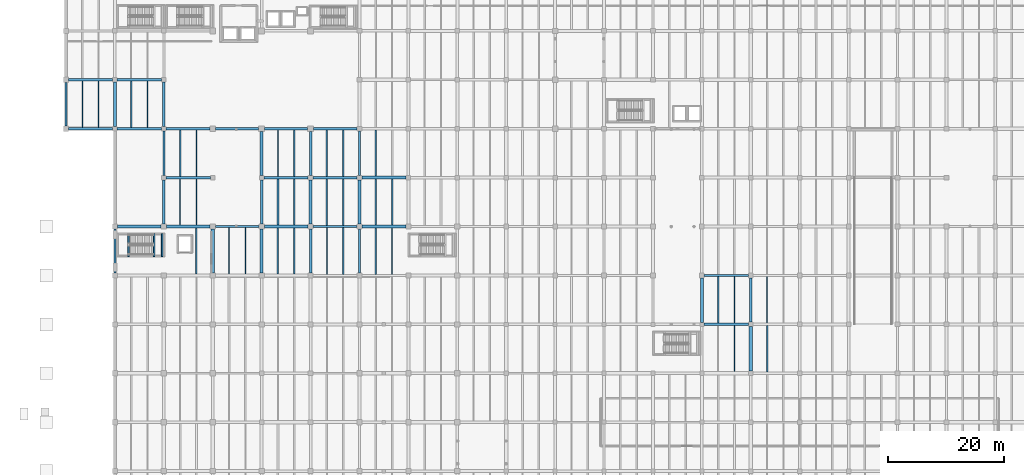
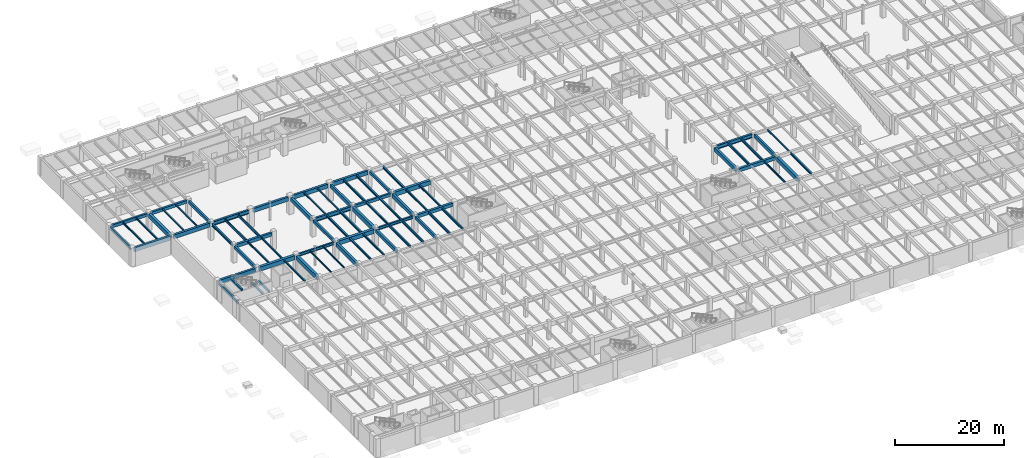
# One storey, part 18 of 63: 75 beams.
"""IFC4 building model written with IfcOpenShell, lengths in metres."""

import ifcopenshell
import ifcopenshell.guid

model = None  # the IFC model being written
_history = None  # IfcOwnerHistory: only IFC2X3 demands one
_inside = {}  # id of a spatial element -> (the spatial element, [elements in it])
_under = {}  # id of a project, library or spatial element -> (it, [spatial elements below it])
_declared = {}  # id of a project -> (the project, [libraries it declares])
_typed = {}  # id of a type object -> (the type object, [elements of that type])
_made_of = {}  # id of a material, layer set ... -> (it, [elements and type objects made of it])


def new_model(schema):
    """Start an empty IFC model of exactly this schema.

    Asked for "IFC4X3", IfcOpenShell would pick the latest addendum, in which some entities
    have other attributes; the version numbers below select the first issue.
    IFC2X3 requires an IfcOwnerHistory on every rooted entity: one is made here for all.
    """
    global model, _history
    if schema == "IFC4X3":
        model = ifcopenshell.file(schema_version=(4, 3, 0, 0))
    else:
        model = ifcopenshell.file(schema=schema)
    _inside.clear()
    _under.clear()
    _declared.clear()
    _typed.clear()
    _made_of.clear()
    _history = None
    if model.schema == "IFC2X3":
        org = make("IfcOrganization", Name="unknown")
        user = make(
            "IfcPersonAndOrganization",
            ThePerson=make("IfcPerson", FamilyName="unknown"),
            TheOrganization=org,
        )
        app = make(
            "IfcApplication",
            ApplicationDeveloper=org,
            Version="unknown",
            ApplicationFullName="unknown",
            ApplicationIdentifier="unknown",
        )
        _history = make(
            "IfcOwnerHistory",
            OwningUser=user,
            OwningApplication=app,
            ChangeAction="ADDED",
            CreationDate=0,
        )
    return model


def make(cls, **values):
    """One entity of the class cls with the attributes given. An attribute that is None is left unset."""
    return model.create_entity(
        cls, **{name: value for name, value in values.items() if value is not None}
    )


def rooted(cls, **values):
    """An entity with a GlobalId (a new one), such as an element, a storey or a relation."""
    return make(cls, GlobalId=ifcopenshell.guid.new(), OwnerHistory=_history, **values)


def si_unit(unit_type, name, prefix=None):
    """IfcSIUnit, for example si_unit("LENGTHUNIT", "METRE", prefix="MILLI")."""
    return make("IfcSIUnit", UnitType=unit_type, Prefix=prefix, Name=name)


def assignment(units):
    """IfcUnitAssignment: the units of a project."""
    return None if units is None else make("IfcUnitAssignment", Units=units)


def point(xyz):
    """IfcCartesianPoint."""
    return None if xyz is None else make("IfcCartesianPoint", Coordinates=xyz)


def direction(xyz):
    """IfcDirection."""
    return None if xyz is None else make("IfcDirection", DirectionRatios=xyz)


def frame(location, z_axis=None, x_axis=None):
    """IfcAxis2Placement3D, a coordinate frame: its origin and axes. An axis left out is left unset."""
    return make(
        "IfcAxis2Placement3D",
        Location=point(location),
        Axis=direction(z_axis),
        RefDirection=direction(x_axis),
    )


def frame_2d(location, x_axis=None):
    """IfcAxis2Placement2D, a coordinate frame in the plane: its origin and x axis."""
    return make(
        "IfcAxis2Placement2D", Location=point(location), RefDirection=direction(x_axis)
    )


def origin():
    """The frame at (0, 0, 0) with its axes left unset."""
    return frame((0.0, 0.0, 0.0))


def origin_2d():
    """The frame at (0, 0) in the plane with its x axis left unset."""
    return frame_2d((0.0, 0.0))


def place(relative_to, where):
    """IfcLocalPlacement: puts the frame where relative to a parent placement (None: the world)."""
    return make(
        "IfcLocalPlacement", PlacementRelTo=relative_to, RelativePlacement=where
    )


def context(
    kind, dimensions, precision=None, world=None, true_north=None, identifier=None
):
    """IfcGeometricRepresentationContext, for example the 3D "Model" context."""
    return make(
        "IfcGeometricRepresentationContext",
        ContextIdentifier=identifier,
        ContextType=kind,
        CoordinateSpaceDimension=dimensions,
        Precision=precision,
        WorldCoordinateSystem=world,
        TrueNorth=true_north,
    )


def subcontext(parent, identifier, kind, view, scale=None):
    """IfcGeometricRepresentationSubContext, for example "Body" below "Model"."""
    return make(
        "IfcGeometricRepresentationSubContext",
        ContextIdentifier=identifier,
        ContextType=kind,
        ParentContext=parent,
        TargetScale=scale,
        TargetView=view,
    )


def project(units=None, contexts=None):
    """IfcProject with its units and contexts."""
    return rooted(
        "IfcProject",
        Name="project",
        RepresentationContexts=contexts,
        UnitsInContext=assignment(units),
    )


def spatial(cls, under=None, at=None, **own):
    """A site, building, storey or space (cls), placed at a placement, below another one or the project."""
    s = rooted(cls, ObjectPlacement=at, **own)
    if under is not None:
        _under.setdefault(under.id(), (under, []))[1].append(s)
    return s


def profile(cls, at=None, kind="AREA", **sizes):
    """A parametric profile (cls). Its sizes go by their IFC names, for example OverallWidth=200.0."""
    return make(cls, ProfileType=kind, Position=at, **sizes)


def rectangle(**sizes):
    """IfcRectangleProfileDef."""
    return profile("IfcRectangleProfileDef", **sizes)


def i_section(**sizes):
    """IfcIShapeProfileDef."""
    return profile("IfcIShapeProfileDef", **sizes)


def extrude(swept, where, along, depth):
    """IfcExtrudedAreaSolid: the profile swept, set in the frame where, extruded along a direction by depth."""
    return make(
        "IfcExtrudedAreaSolid",
        SweptArea=swept,
        Position=where,
        ExtrudedDirection=direction(along),
        Depth=depth,
    )


def shape(context_of_items, identifier, shape_type, items):
    """IfcShapeRepresentation: the items that make up one representation, for example the "Body"."""
    return make(
        "IfcShapeRepresentation",
        ContextOfItems=context_of_items,
        RepresentationIdentifier=identifier,
        RepresentationType=shape_type,
        Items=items,
    )


def material(Name=None, Category=None):
    """IfcMaterial."""
    return make("IfcMaterial", Name=Name, Category=Category)


def material_profile(
    of_material, cross_section, Name=None, Category=None, Priority=None
):
    """IfcMaterialProfile: a cross section and its material."""
    return make(
        "IfcMaterialProfile",
        Name=Name,
        Material=of_material,
        Profile=cross_section,
        Priority=Priority,
        Category=Category,
    )


def profile_set(profiles, Name=None, composite=None):
    """IfcMaterialProfileSet."""
    return make(
        "IfcMaterialProfileSet",
        Name=Name,
        MaterialProfiles=profiles,
        CompositeProfile=composite,
    )


def made_of(thing, what):
    """Note that an element or type object is made of a material, layer set ...; save() writes the relation."""
    if what is not None:
        _made_of.setdefault(what.id(), (what, []))[1].append(thing)
    return thing


def type_object(cls, material=None, **own):
    """A type object (cls), such as IfcWallType, which elements share."""
    return made_of(rooted(cls, **own), material)


def element(
    cls,
    number,
    at=None,
    inside=None,
    cuts=None,
    type_object=None,
    material=None,
    context=None,
    identifier="Body",
    shape_type=None,
    held_by="IfcProductDefinitionShape",
    body=None,
    shapes=None,
    **own,
):
    """One element of the class cls, such as IfcWall. Its Tag is "e" and its number.

    at: its placement. inside: the storey or other place that contains it. cuts: it is an
    opening in that element (IfcRelVoidsElement). A single representation is given by context,
    identifier, shape_type and body (its items); several are given by shapes. held_by: the class
    of the entity that holds the representations. save() writes the other relations.
    """
    e = rooted(cls, Tag="e%d" % number, ObjectPlacement=at, **own)
    if body is not None:
        shapes = [shape(context, identifier, shape_type, body)]
    if shapes is not None:
        e.Representation = make(held_by, Representations=shapes)
    if inside is not None:
        _inside.setdefault(inside.id(), (inside, []))[1].append(e)
    if cuts is not None:
        rooted(
            "IfcRelVoidsElement", RelatingBuildingElement=cuts, RelatedOpeningElement=e
        )
    if type_object is not None:
        _typed.setdefault(type_object.id(), (type_object, []))[1].append(e)
    return made_of(e, material)


def aggregate(whole, parts):
    """IfcRelAggregates: a whole, such as a stair, and the parts it consists of."""
    return rooted("IfcRelAggregates", RelatingObject=whole, RelatedObjects=parts)


def save(model, path):
    """Write the relations noted so far, then the file.

    IfcRelAggregates (storeys below a building ...), IfcRelContainedInSpatialStructure (elements
    in a storey), IfcRelDefinesByType, IfcRelAssociatesMaterial and IfcRelDeclares: one each for
    every whole, place, type object, material and project.
    """
    for whole, parts in _under.values():
        aggregate(whole, parts)
    for where, things in _inside.values():
        rooted(
            "IfcRelContainedInSpatialStructure",
            RelatedElements=things,
            RelatingStructure=where,
        )
    for kind, things in _typed.values():
        rooted("IfcRelDefinesByType", RelatedObjects=things, RelatingType=kind)
    for what, things in _made_of.values():
        rooted("IfcRelAssociatesMaterial", RelatedObjects=things, RelatingMaterial=what)
    for by, libraries in _declared.values():
        rooted("IfcRelDeclares", RelatingContext=by, RelatedDefinitions=libraries)
    model.write(path)


model = new_model("IFC4")

# Units and contexts
model_context = context("Model", 3, precision=1e-05, world=origin(), true_north=direction((0.0, 1.0)))
body_context = subcontext(model_context, "Body", "Model", "MODEL_VIEW")
ifc_project = project(units=[si_unit("LENGTHUNIT", "METRE"), si_unit("AREAUNIT", "SQUARE_METRE"), si_unit("VOLUMEUNIT", "CUBIC_METRE"), si_unit("PLANEANGLEUNIT", "RADIAN"), si_unit("MASSUNIT", "GRAM", prefix="KILO")], contexts=[model_context])

# Site, building, storey
site_placement = place(None, origin())
site = spatial("IfcSite", under=ifc_project, at=site_placement, CompositionType="ELEMENT")
building_placement = place(site_placement, origin())
building = spatial("IfcBuilding", under=site, at=building_placement, Name="Cumbredor Promenade Congress Hotel", CompositionType="ELEMENT")
storey_placement = place(building_placement, frame((0.0, 0.0, -4.199951171875)))
storey = spatial("IfcBuildingStorey", under=building, at=storey_placement, Name="B01", CompositionType="ELEMENT", Elevation=-4.199951171875)

# Beams
ifc_material_1 = material(Name="Concrete C40/50", Category="concrete")
ifc_material_profile_1 = material_profile(ifc_material_1, rectangle(XDim=0.39990234375, YDim=0.64990234375, at=origin_2d()), Name="RC BEAM 400x650")
ifc_profile_set_1 = profile_set([ifc_material_profile_1], Name="Concrete C40/50")
beam_type_1 = type_object("IfcBeamType", Name="BM-RC-400x650", PredefinedType="BEAM", material=ifc_profile_set_1)
beam_1_placement = place(storey_placement, frame((0.449951171875, 92.39990234375, 3.52490234375), z_axis=(1.0, 0.0, 0.0), x_axis=(0.0, 1.0, 0.0)))
element("IfcBeam", 1, at=beam_1_placement, inside=storey, type_object=beam_type_1, Name="L00 X-Grid Beam 003", PredefinedType="BEAM", context=body_context, shape_type="SweptSolid", body=[
    extrude(rectangle(XDim=0.39990234375, YDim=0.64990234375, at=origin_2d()), origin(), (0.0, 0.0, 1.0), 7.550048828125),
])
beam_2_placement = place(storey_placement, frame((8.800048828125, 92.39990234375, 3.52490234375), z_axis=(1.0, 0.0, 0.0), x_axis=(0.0, 1.0, 0.0)))
element("IfcBeam", 2, at=beam_2_placement, inside=storey, type_object=beam_type_1, Name="L00 X-Grid Beam 027", PredefinedType="BEAM", context=body_context, shape_type="SweptSolid", body=[
    extrude(rectangle(XDim=0.39990234375, YDim=0.64990234375, at=origin_2d()), origin(), (0.0, 0.0, 1.0), 7.599853515625),
])
beam_3_placement = place(storey_placement, frame((16.800048828125, 67.64990234375, 3.52490234375), z_axis=(0.0, 1.0, 0.0), x_axis=(-1.0, 0.0, 0.0)))
element("IfcBeam", 3, at=beam_3_placement, inside=storey, type_object=beam_type_1, Name="L00 Y-Grid Beam 047", PredefinedType="BEAM", context=body_context, shape_type="SweptSolid", body=[
    extrude(rectangle(XDim=0.39990234375, YDim=0.64990234375, at=origin_2d()), origin(), (0.0, 0.0, 1.0), 7.550048828125),
])
beam_4_placement = place(storey_placement, frame((16.800048828125, 84.39990234375, 3.52490234375), z_axis=(0.0, 1.0, 0.0), x_axis=(-1.0, 0.0, 0.0)))
element("IfcBeam", 4, at=beam_4_placement, inside=storey, type_object=beam_type_1, Name="L00 Y-Grid Beam 051", PredefinedType="BEAM", context=body_context, shape_type="SweptSolid", body=[
    extrude(rectangle(XDim=0.39990234375, YDim=0.64990234375, at=origin_2d()), origin(), (0.0, 0.0, 1.0), 7.60009765625),
])
beam_5_placement = place(storey_placement, frame((33.60009765625, 67.64990234375, 3.52490234375), z_axis=(0.0, 1.0, 0.0), x_axis=(-1.0, 0.0, 0.0)))
element("IfcBeam", 5, at=beam_5_placement, inside=storey, type_object=beam_type_1, Name="L00 Y-Grid Beam 091", PredefinedType="BEAM", context=body_context, shape_type="SweptSolid", body=[
    extrude(rectangle(XDim=0.39990234375, YDim=0.64990234375, at=origin_2d()), origin(), (0.0, 0.0, 1.0), 7.550048828125),
])
beam_6_placement = place(storey_placement, frame((42.39990234375, 75.60009765625, 3.52490234375), z_axis=(1.0, 0.0, 0.0), x_axis=(0.0, 1.0, 0.0)))
element("IfcBeam", 6, at=beam_6_placement, inside=storey, type_object=beam_type_1, Name="L00 X-Grid Beam 115", PredefinedType="BEAM", context=body_context, shape_type="SweptSolid", body=[
    extrude(rectangle(XDim=0.39990234375, YDim=0.64990234375, at=origin_2d()), origin(), (0.0, 0.0, 1.0), 7.60009765625),
])
beam_7_placement = place(storey_placement, frame((50.39990234375, 59.25, 3.52490234375), z_axis=(0.0, 1.0, 0.0), x_axis=(-1.0, 0.0, 0.0)))
element("IfcBeam", 7, at=beam_7_placement, inside=storey, type_object=beam_type_1, Name="L00 Y-Grid Beam 135", PredefinedType="BEAM", context=body_context, shape_type="SweptSolid", body=[
    extrude(rectangle(XDim=0.39990234375, YDim=0.64990234375, at=origin_2d()), origin(), (0.0, 0.0, 1.0), 7.5),
])
beam_8_placement = place(storey_placement, frame((50.39990234375, 76.0, 3.52490234375), z_axis=(0.0, 1.0, 0.0), x_axis=(-1.0, 0.0, 0.0)))
element("IfcBeam", 8, at=beam_8_placement, inside=storey, type_object=beam_type_1, Name="L00 Y-Grid Beam 139", PredefinedType="BEAM", context=body_context, shape_type="SweptSolid", body=[
    extrude(rectangle(XDim=0.39990234375, YDim=0.64990234375, at=origin_2d()), origin(), (0.0, 0.0, 1.0), 7.60009765625),
])
ifc_material_profile_2 = material_profile(ifc_material_1, rectangle(XDim=0.449951171875, YDim=0.75, at=origin_2d()), Name="RC BEAM 450x750")
ifc_profile_set_2 = profile_set([ifc_material_profile_2], Name="Concrete C40/50")
beam_type_2 = type_object("IfcBeamType", Name="BM-RC-450x750", PredefinedType="BEAM", material=ifc_profile_set_2)
beam_9_placement = place(storey_placement, frame((17.199951171875, 75.60009765625, 3.474853515625), z_axis=(1.0, 0.0, 0.0), x_axis=(0.0, 1.0, 0.0)))
element("IfcBeam", 9, at=beam_9_placement, inside=storey, type_object=beam_type_2, Name="L00 X-Grid Beam 048", PredefinedType="BEAM", context=body_context, shape_type="SweptSolid", body=[
    extrude(rectangle(XDim=0.449951171875, YDim=0.75, at=origin_2d()), origin(), (0.0, 0.0, 1.0), 7.60009765625),
])
for number, where, z_axis, x_axis, name in (
    (10, (42.0, 59.25, 3.474853515625), (0.0, 1.0, 0.0), (-1.0, 0.0, 0.0), "L00 Y-Grid Beam 112"),
    (11, (42.0, 76.0, 3.474853515625), (0.0, 1.0, 0.0), (-1.0, 0.0, 0.0), "L00 Y-Grid Beam 116"),
    (12, (50.85009765625, 67.199951171875, 3.474853515625), (1.0, 0.0, 0.0), (0.0, 1.0, 0.0), "L00 X-Grid Beam 136"),
):
    element("IfcBeam", number, at=place(storey_placement, frame(where, z_axis=z_axis, x_axis=x_axis)), inside=storey, type_object=beam_type_2, Name=name, PredefinedType="BEAM", context=body_context, shape_type="SweptSolid", body=[
        extrude(rectangle(XDim=0.449951171875, YDim=0.75, at=origin_2d()), origin(), (0.0, 0.0, 1.0), 7.5),
    ])
beam_10_placement = place(storey_placement, frame((109.550048828125, 50.39990234375, 3.474853515625), z_axis=(1.0, 0.0, 0.0), x_axis=(0.0, 1.0, 0.0)))
element("IfcBeam", 13, at=beam_10_placement, inside=storey, type_object=beam_type_2, Name="L00 X-Grid Beam 312", PredefinedType="BEAM", context=body_context, shape_type="SweptSolid", body=[
    extrude(rectangle(XDim=0.449951171875, YDim=0.75, at=origin_2d()), origin(), (0.0, 0.0, 1.0), 7.64990234375),
])
beam_11_placement = place(storey_placement, frame((117.60009765625, 50.800048828125, 3.474853515625), z_axis=(0.0, 1.0, 0.0), x_axis=(-1.0, 0.0, 0.0)))
element("IfcBeam", 14, at=beam_11_placement, inside=storey, type_object=beam_type_2, Name="L00 Y-Grid Beam 340", PredefinedType="BEAM", context=body_context, shape_type="SweptSolid", body=[
    extrude(rectangle(XDim=0.449951171875, YDim=0.75, at=origin_2d()), origin(), (0.0, 0.0, 1.0), 7.599853515625),
])
ifc_material_profile_3 = material_profile(ifc_material_1, rectangle(XDim=0.5, YDim=0.85009765625, at=origin_2d()), Name="RC BEAM 500x850")
ifc_profile_set_3 = profile_set([ifc_material_profile_3], Name="Concrete C40/50")
beam_type_3 = type_object("IfcBeamType", Name="BM-RC-500x850", PredefinedType="BEAM", material=ifc_profile_set_3)
for number, where, z_axis, x_axis, name in (
    (15, (33.60009765625, 59.25, 3.425048828125), (0.0, 1.0, 0.0), (-1.0, 0.0, 0.0), "L00 Y-Grid Beam 089"),
    (16, (33.60009765625, 76.0, 3.425048828125), (0.0, 1.0, 0.0), (-1.0, 0.0, 0.0), "L00 Y-Grid Beam 093"),
):
    element("IfcBeam", number, at=place(storey_placement, frame(where, z_axis=z_axis, x_axis=x_axis)), inside=storey, type_object=beam_type_3, Name=name, PredefinedType="BEAM", context=body_context, shape_type="SweptSolid", body=[
        extrude(rectangle(XDim=0.5, YDim=0.85009765625, at=origin_2d()), origin(), (0.0, 0.0, 1.0), 7.5),
    ])
beam_12_placement = place(storey_placement, frame((50.39990234375, 67.64990234375, 3.425048828125), z_axis=(0.0, 1.0, 0.0), x_axis=(-1.0, 0.0, 0.0)))
element("IfcBeam", 17, at=beam_12_placement, inside=storey, type_object=beam_type_3, Name="L00 Y-Grid Beam 137", PredefinedType="BEAM", context=body_context, shape_type="SweptSolid", body=[
    extrude(rectangle(XDim=0.5, YDim=0.85009765625, at=origin_2d()), origin(), (0.0, 0.0, 1.0), 7.550048828125),
])
beam_13_placement = place(storey_placement, frame((109.199951171875, 50.75, 3.425048828125), z_axis=(0.0, 1.0, 0.0), x_axis=(-1.0, 0.0, 0.0)))
element("IfcBeam", 18, at=beam_13_placement, inside=storey, type_object=beam_type_3, Name="L00 Y-Grid Beam 313", PredefinedType="BEAM", context=body_context, shape_type="SweptSolid", body=[
    extrude(rectangle(XDim=0.5, YDim=0.85009765625, at=origin_2d()), origin(), (0.0, 0.0, 1.0), 7.64990234375),
])
ifc_material_profile_4 = material_profile(ifc_material_1, rectangle(XDim=0.550048828125, YDim=0.949951171875, at=origin_2d()), Name="RC BEAM 550x950")
ifc_profile_set_4 = profile_set([ifc_material_profile_4], Name="Concrete C40/50")
beam_type_4 = type_object("IfcBeamType", Name="BM-RC-550x950", PredefinedType="BEAM", material=ifc_profile_set_4)
beam_14_placement = place(storey_placement, frame((8.39990234375, 84.39990234375, 3.375), z_axis=(0.0, 1.0, 0.0), x_axis=(-1.0, 0.0, 0.0)))
element("IfcBeam", 19, at=beam_14_placement, inside=storey, type_object=beam_type_4, Name="L00 Y-Grid Beam 026", PredefinedType="BEAM", context=body_context, shape_type="SweptSolid", body=[
    extrude(rectangle(XDim=0.550048828125, YDim=0.949951171875, at=origin_2d()), origin(), (0.0, 0.0, 1.0), 7.60009765625),
])
for number, where, z_axis, x_axis, name in (
    (20, (17.25, 67.199951171875, 3.375), (1.0, 0.0, 0.0), (0.0, 1.0, 0.0), "L00 X-Grid Beam 046"),
    (21, (25.199951171875, 59.25, 3.375), (0.0, 1.0, 0.0), (-1.0, 0.0, 0.0), "L00 Y-Grid Beam 070"),
    (22, (34.050048828125, 67.199951171875, 3.375), (1.0, 0.0, 0.0), (0.0, 1.0, 0.0), "L00 X-Grid Beam 090"),
):
    element("IfcBeam", number, at=place(storey_placement, frame(where, z_axis=z_axis, x_axis=x_axis)), inside=storey, type_object=beam_type_4, Name=name, PredefinedType="BEAM", context=body_context, shape_type="SweptSolid", body=[
        extrude(rectangle(XDim=0.550048828125, YDim=0.949951171875, at=origin_2d()), origin(), (0.0, 0.0, 1.0), 7.5),
    ])
beam_15_placement = place(storey_placement, frame((42.0, 67.64990234375, 3.375), z_axis=(0.0, 1.0, 0.0), x_axis=(-1.0, 0.0, 0.0)))
element("IfcBeam", 23, at=beam_15_placement, inside=storey, type_object=beam_type_4, Name="L00 Y-Grid Beam 114", PredefinedType="BEAM", context=body_context, shape_type="SweptSolid", body=[
    extrude(rectangle(XDim=0.550048828125, YDim=0.949951171875, at=origin_2d()), origin(), (0.0, 0.0, 1.0), 7.550048828125),
])
beam_16_placement = place(storey_placement, frame((50.800048828125, 75.60009765625, 3.375), z_axis=(1.0, 0.0, 0.0), x_axis=(0.0, 1.0, 0.0)))
element("IfcBeam", 24, at=beam_16_placement, inside=storey, type_object=beam_type_4, Name="L00 X-Grid Beam 138", PredefinedType="BEAM", context=body_context, shape_type="SweptSolid", body=[
    extrude(rectangle(XDim=0.550048828125, YDim=0.949951171875, at=origin_2d()), origin(), (0.0, 0.0, 1.0), 7.599853515625),
])
beam_17_placement = place(storey_placement, frame((117.60009765625, 42.39990234375, 3.375), z_axis=(0.0, 1.0, 0.0), x_axis=(-1.0, 0.0, 0.0)))
element("IfcBeam", 25, at=beam_17_placement, inside=storey, type_object=beam_type_4, Name="L00 Y-Grid Beam 338", PredefinedType="BEAM", context=body_context, shape_type="SweptSolid", body=[
    extrude(rectangle(XDim=0.550048828125, YDim=0.949951171875, at=origin_2d()), origin(), (0.0, 0.0, 1.0), 7.60009765625),
])
ifc_material_2 = material(Name="Steel ASTM A992 Grade 50", Category="steel")
ifc_material_profile_5 = material_profile(ifc_material_2, i_section(OverallWidth=0.323974609375, OverallDepth=0.611083984375, WebThickness=0.0126953125, FlangeThickness=0.01904296875, at=origin_2d()), Name="W24X104")
ifc_profile_set_5 = profile_set([ifc_material_profile_5], Name="Steel ASTM A992 Grade 50")
beam_type_5 = type_object("IfcBeamType", Name="BM-W24X104", PredefinedType="BEAM", material=ifc_profile_set_5)
for number, where, z_axis, x_axis, name in (
    (26, (25.64990234375, 67.199951171875, 3.54443359375), (1.0, 0.0, 0.0), (0.0, 1.0, 0.0), "L00 X-Grid Beam 071"),
    (27, (42.449951171875, 67.199951171875, 3.54443359375), (1.0, 0.0, 0.0), (0.0, 1.0, 0.0), "L00 X-Grid Beam 113"),
):
    element("IfcBeam", number, at=place(storey_placement, frame(where, z_axis=z_axis, x_axis=x_axis)), inside=storey, type_object=beam_type_5, Name=name, PredefinedType="BEAM", context=body_context, shape_type="SweptSolid", body=[
        extrude(i_section(OverallWidth=0.323974609375, OverallDepth=0.611083984375, WebThickness=0.0126953125, FlangeThickness=0.01904296875, at=origin_2d()), origin(), (0.0, 0.0, 1.0), 7.5),
    ])
ifc_material_profile_6 = material_profile(ifc_material_2, i_section(OverallWidth=0.39990234375, OverallDepth=0.85498046875, WebThickness=0.018310546875, FlangeThickness=0.029296875, at=origin_2d()), Name="W33X201")
ifc_profile_set_6 = profile_set([ifc_material_profile_6], Name="Steel ASTM A992 Grade 50")
beam_type_6 = type_object("IfcBeamType", Name="BM-W33X201", PredefinedType="BEAM", material=ifc_profile_set_6)
beam_18_placement = place(storey_placement, frame((17.199951171875, 84.0, 3.42236328125), z_axis=(1.0, 0.0, 0.0), x_axis=(0.0, 1.0, 0.0)))
element("IfcBeam", 28, at=beam_18_placement, inside=storey, type_object=beam_type_6, Name="L00 X-Grid Beam 050", PredefinedType="BEAM", context=body_context, shape_type="SweptSolid", body=[
    extrude(i_section(OverallWidth=0.39990234375, OverallDepth=0.85498046875, WebThickness=0.018310546875, FlangeThickness=0.029296875, at=origin_2d()), origin(), (0.0, 0.0, 1.0), 7.5),
])
beam_19_placement = place(storey_placement, frame((34.0, 75.60009765625, 3.42236328125), z_axis=(1.0, 0.0, 0.0), x_axis=(0.0, 1.0, 0.0)))
element("IfcBeam", 29, at=beam_19_placement, inside=storey, type_object=beam_type_6, Name="L00 X-Grid Beam 092", PredefinedType="BEAM", context=body_context, shape_type="SweptSolid", body=[
    extrude(i_section(OverallWidth=0.39990234375, OverallDepth=0.85498046875, WebThickness=0.018310546875, FlangeThickness=0.029296875, at=origin_2d()), origin(), (0.0, 0.0, 1.0), 7.60009765625),
])
beam_20_placement = place(storey_placement, frame((109.60009765625, 58.800048828125, 3.42236328125), z_axis=(1.0, 0.0, 0.0), x_axis=(0.0, 1.0, 0.0)))
element("IfcBeam", 30, at=beam_20_placement, inside=storey, type_object=beam_type_6, Name="L00 X-Grid Beam 314", PredefinedType="BEAM", context=body_context, shape_type="SweptSolid", body=[
    extrude(i_section(OverallWidth=0.39990234375, OverallDepth=0.85498046875, WebThickness=0.018310546875, FlangeThickness=0.029296875, at=origin_2d()), origin(), (0.0, 0.0, 1.0), 7.599853515625),
])
ifc_material_profile_7 = material_profile(ifc_material_2, i_section(OverallWidth=0.202880859375, OverallDepth=0.302978515625, WebThickness=0.007568359375, FlangeThickness=0.01318359375, at=origin_2d()), Name="W12X40")
ifc_profile_set_7 = profile_set([ifc_material_profile_7], Name="Steel ASTM A992 Grade 50")
beam_type_7 = type_object("IfcBeamType", Name="JST-W12X40", PredefinedType="JOIST", material=ifc_profile_set_7)
for number, where, z_axis, x_axis, name in (
    (31, (11.199951171875, 84.22509765625, 3.698486328125), (0.0, 1.0, 0.0), (-1.0, 0.0, 0.0), "L00 Secondary Floor Joist 0019"),
    (32, (14.0, 84.22509765625, 3.698486328125), (0.0, 1.0, 0.0), (-1.0, 0.0, 0.0), "L00 Secondary Floor Joist 0020"),
):
    element("IfcBeam", number, at=place(storey_placement, frame(where, z_axis=z_axis, x_axis=x_axis)), inside=storey, type_object=beam_type_7, Name=name, PredefinedType="JOIST", context=body_context, shape_type="SweptSolid", body=[
        extrude(i_section(OverallWidth=0.202880859375, OverallDepth=0.302978515625, WebThickness=0.007568359375, FlangeThickness=0.01318359375, at=origin_2d()), origin(), (0.0, 0.0, 1.0), 7.974853515625),
    ])
for number, where, z_axis, x_axis, name in (
    (33, (28.0, 59.050048828125, 3.698486328125), (0.0, 1.0, 0.0), (-1.0, 0.0, 0.0), "L00 Secondary Floor Joist 0054"),
    (34, (30.800048828125, 59.050048828125, 3.698486328125), (0.0, 1.0, 0.0), (-1.0, 0.0, 0.0), "L00 Secondary Floor Joist 0055"),
):
    element("IfcBeam", number, at=place(storey_placement, frame(where, z_axis=z_axis, x_axis=x_axis)), inside=storey, type_object=beam_type_7, Name=name, PredefinedType="JOIST", context=body_context, shape_type="SweptSolid", body=[
        extrude(i_section(OverallWidth=0.202880859375, OverallDepth=0.302978515625, WebThickness=0.007568359375, FlangeThickness=0.01318359375, at=origin_2d()), origin(), (0.0, 0.0, 1.0), 7.988037109375),
    ])
for number, where, z_axis, x_axis, name in (
    (35, (36.39990234375, 75.800048828125, 3.698486328125), (0.0, 1.0, 0.0), (-1.0, 0.0, 0.0), "L00 Secondary Floor Joist 0074"),
    (36, (39.199951171875, 75.800048828125, 3.698486328125), (0.0, 1.0, 0.0), (-1.0, 0.0, 0.0), "L00 Secondary Floor Joist 0075"),
):
    element("IfcBeam", number, at=place(storey_placement, frame(where, z_axis=z_axis, x_axis=x_axis)), inside=storey, type_object=beam_type_7, Name=name, PredefinedType="JOIST", context=body_context, shape_type="SweptSolid", body=[
        extrude(i_section(OverallWidth=0.202880859375, OverallDepth=0.302978515625, WebThickness=0.007568359375, FlangeThickness=0.01318359375, at=origin_2d()), origin(), (0.0, 0.0, 1.0), 7.974853515625),
    ])
beam_21_placement = place(storey_placement, frame((120.39990234375, 50.60009765625, 3.698486328125), z_axis=(0.0, 1.0, 0.0), x_axis=(-1.0, 0.0, 0.0)))
element("IfcBeam", 37, at=beam_21_placement, inside=storey, type_object=beam_type_7, Name="L00 Secondary Floor Joist 0289", PredefinedType="JOIST", context=body_context, shape_type="SweptSolid", body=[
    extrude(i_section(OverallWidth=0.202880859375, OverallDepth=0.302978515625, WebThickness=0.007568359375, FlangeThickness=0.01318359375, at=origin_2d()), origin(), (0.0, 0.0, 1.0), 8.037841796875),
])
ifc_material_profile_8 = material_profile(ifc_material_2, i_section(OverallWidth=0.2548828125, OverallDepth=0.35693359375, WebThickness=0.010498046875, FlangeThickness=0.018310546875, at=origin_2d()), Name="W14X68")
ifc_profile_set_8 = profile_set([ifc_material_profile_8], Name="Steel ASTM A992 Grade 50")
beam_type_8 = type_object("IfcBeamType", Name="JST-W14X68", PredefinedType="JOIST", material=ifc_profile_set_8)
beam_22_placement = place(storey_placement, frame((22.39990234375, 59.050048828125, 3.67138671875), z_axis=(0.0, 1.0, 0.0), x_axis=(-1.0, 0.0, 0.0)))
element("IfcBeam", 38, at=beam_22_placement, inside=storey, type_object=beam_type_8, Name="L00 Secondary Floor Joist 0035", PredefinedType="JOIST", context=body_context, shape_type="SweptSolid", body=[
    extrude(i_section(OverallWidth=0.2548828125, OverallDepth=0.35693359375, WebThickness=0.010498046875, FlangeThickness=0.018310546875, at=origin_2d()), origin(), (0.0, 0.0, 1.0), 7.875),
])
for number, where, z_axis, x_axis, name in (
    (39, (36.39990234375, 59.02490234375, 3.67138671875), (0.0, 1.0, 0.0), (-1.0, 0.0, 0.0), "L00 Secondary Floor Joist 0070"),
    (40, (39.199951171875, 59.02490234375, 3.67138671875), (0.0, 1.0, 0.0), (-1.0, 0.0, 0.0), "L00 Secondary Floor Joist 0071"),
):
    element("IfcBeam", number, at=place(storey_placement, frame(where, z_axis=z_axis, x_axis=x_axis)), inside=storey, type_object=beam_type_8, Name=name, PredefinedType="JOIST", context=body_context, shape_type="SweptSolid", body=[
        extrude(i_section(OverallWidth=0.2548828125, OverallDepth=0.35693359375, WebThickness=0.010498046875, FlangeThickness=0.018310546875, at=origin_2d()), origin(), (0.0, 0.0, 1.0), 7.900146484375),
    ])
for number, where, z_axis, x_axis, name in (
    (41, (44.800048828125, 67.362060546875, 3.67138671875), (0.0, 1.0, 0.0), (-1.0, 0.0, 0.0), "L00 Secondary Floor Joist 0090"),
    (42, (47.60009765625, 67.362060546875, 3.67138671875), (0.0, 1.0, 0.0), (-1.0, 0.0, 0.0), "L00 Secondary Floor Joist 0091"),
):
    element("IfcBeam", number, at=place(storey_placement, frame(where, z_axis=z_axis, x_axis=x_axis)), inside=storey, type_object=beam_type_8, Name=name, PredefinedType="JOIST", context=body_context, shape_type="SweptSolid", body=[
        extrude(i_section(OverallWidth=0.2548828125, OverallDepth=0.35693359375, WebThickness=0.010498046875, FlangeThickness=0.018310546875, at=origin_2d()), origin(), (0.0, 0.0, 1.0), 8.037841796875),
    ])
for number, where, z_axis, x_axis, name in (
    (43, (53.199951171875, 67.425048828125, 3.67138671875), (0.0, 1.0, 0.0), (-1.0, 0.0, 0.0), "L00 Secondary Floor Joist 0110"),
    (44, (56.0, 67.425048828125, 3.67138671875), (0.0, 1.0, 0.0), (-1.0, 0.0, 0.0), "L00 Secondary Floor Joist 0111"),
):
    element("IfcBeam", number, at=place(storey_placement, frame(where, z_axis=z_axis, x_axis=x_axis)), inside=storey, type_object=beam_type_8, Name=name, PredefinedType="JOIST", context=body_context, shape_type="SweptSolid", body=[
        extrude(i_section(OverallWidth=0.2548828125, OverallDepth=0.35693359375, WebThickness=0.010498046875, FlangeThickness=0.018310546875, at=origin_2d()), origin(), (0.0, 0.0, 1.0), 7.89990234375),
    ])
ifc_material_profile_9 = material_profile(ifc_material_2, i_section(OverallWidth=0.180908203125, OverallDepth=0.4169921875, WebThickness=0.010986328125, FlangeThickness=0.018310546875, at=origin_2d()), Name="W16X57")
ifc_profile_set_9 = profile_set([ifc_material_profile_9], Name="Steel ASTM A992 Grade 50")
beam_type_9 = type_object("IfcBeamType", Name="JST-W16X57", PredefinedType="JOIST", material=ifc_profile_set_9)
for number, where, z_axis, x_axis, name in (
    (45, (2.800048828125, 84.22509765625, 3.641357421875), (0.0, 1.0, 0.0), (-1.0, 0.0, 0.0), "L00 Secondary Floor Joist 0001"),
    (46, (5.60009765625, 84.22509765625, 3.641357421875), (0.0, 1.0, 0.0), (-1.0, 0.0, 0.0), "L00 Secondary Floor Joist 0002"),
):
    element("IfcBeam", number, at=place(storey_placement, frame(where, z_axis=z_axis, x_axis=x_axis)), inside=storey, type_object=beam_type_9, Name=name, PredefinedType="JOIST", context=body_context, shape_type="SweptSolid", body=[
        extrude(i_section(OverallWidth=0.180908203125, OverallDepth=0.4169921875, WebThickness=0.010986328125, FlangeThickness=0.018310546875, at=origin_2d()), origin(), (0.0, 0.0, 1.0), 7.974853515625),
    ])
for number, where, z_axis, x_axis, name in (
    (47, (19.60009765625, 67.47509765625, 3.641357421875), (0.0, 1.0, 0.0), (-1.0, 0.0, 0.0), "L00 Secondary Floor Joist 0036"),
    (48, (22.39990234375, 67.47509765625, 3.641357421875), (0.0, 1.0, 0.0), (-1.0, 0.0, 0.0), "L00 Secondary Floor Joist 0037"),
):
    element("IfcBeam", number, at=place(storey_placement, frame(where, z_axis=z_axis, x_axis=x_axis)), inside=storey, type_object=beam_type_9, Name=name, PredefinedType="JOIST", context=body_context, shape_type="SweptSolid", body=[
        extrude(i_section(OverallWidth=0.180908203125, OverallDepth=0.4169921875, WebThickness=0.010986328125, FlangeThickness=0.018310546875, at=origin_2d()), origin(), (0.0, 0.0, 1.0), 7.89990234375),
    ])
beam_23_placement = place(storey_placement, frame((114.800048828125, 42.27490234375, 3.641357421875), z_axis=(0.0, 1.0, 0.0), x_axis=(-1.0, 0.0, 0.0)))
element("IfcBeam", 49, at=beam_23_placement, inside=storey, type_object=beam_type_9, Name="L00 Secondary Floor Joist 0262", PredefinedType="JOIST", context=body_context, shape_type="SweptSolid", body=[
    extrude(i_section(OverallWidth=0.180908203125, OverallDepth=0.4169921875, WebThickness=0.010986328125, FlangeThickness=0.018310546875, at=origin_2d()), origin(), (0.0, 0.0, 1.0), 7.900146484375),
])
ifc_material_profile_10 = material_profile(ifc_material_2, i_section(OverallWidth=0.280029296875, OverallDepth=0.462890625, WebThickness=0.0107421875, FlangeThickness=0.017333984375, at=origin_2d()), Name="W18X76")
ifc_profile_set_10 = profile_set([ifc_material_profile_10], Name="Steel ASTM A992 Grade 50")
beam_type_10 = type_object("IfcBeamType", Name="JST-W18X76", PredefinedType="JOIST", material=ifc_profile_set_10)
for number, where, z_axis, x_axis, name in (
    (50, (36.39990234375, 67.47509765625, 3.618408203125), (0.0, 1.0, 0.0), (-1.0, 0.0, 0.0), "L00 Secondary Floor Joist 0072"),
    (51, (39.199951171875, 67.47509765625, 3.618408203125), (0.0, 1.0, 0.0), (-1.0, 0.0, 0.0), "L00 Secondary Floor Joist 0073"),
):
    element("IfcBeam", number, at=place(storey_placement, frame(where, z_axis=z_axis, x_axis=x_axis)), inside=storey, type_object=beam_type_10, Name=name, PredefinedType="JOIST", context=body_context, shape_type="SweptSolid", body=[
        extrude(i_section(OverallWidth=0.280029296875, OverallDepth=0.462890625, WebThickness=0.0107421875, FlangeThickness=0.017333984375, at=origin_2d()), origin(), (0.0, 0.0, 1.0), 7.9248046875),
    ])
for number, where, z_axis, x_axis, name in (
    (52, (44.800048828125, 75.800048828125, 3.618408203125), (0.0, 1.0, 0.0), (-1.0, 0.0, 0.0), "L00 Secondary Floor Joist 0092"),
    (53, (47.60009765625, 75.800048828125, 3.618408203125), (0.0, 1.0, 0.0), (-1.0, 0.0, 0.0), "L00 Secondary Floor Joist 0093"),
):
    element("IfcBeam", number, at=place(storey_placement, frame(where, z_axis=z_axis, x_axis=x_axis)), inside=storey, type_object=beam_type_10, Name=name, PredefinedType="JOIST", context=body_context, shape_type="SweptSolid", body=[
        extrude(i_section(OverallWidth=0.280029296875, OverallDepth=0.462890625, WebThickness=0.0107421875, FlangeThickness=0.017333984375, at=origin_2d()), origin(), (0.0, 0.0, 1.0), 7.974853515625),
    ])
beam_24_placement = place(storey_placement, frame((53.199951171875, 75.875, 3.618408203125), z_axis=(0.0, 1.0, 0.0), x_axis=(-1.0, 0.0, 0.0)))
element("IfcBeam", 54, at=beam_24_placement, inside=storey, type_object=beam_type_10, Name="L00 Secondary Floor Joist 0112", PredefinedType="JOIST", context=body_context, shape_type="SweptSolid", body=[
    extrude(i_section(OverallWidth=0.280029296875, OverallDepth=0.462890625, WebThickness=0.0107421875, FlangeThickness=0.017333984375, at=origin_2d()), origin(), (0.0, 0.0, 1.0), 7.925048828125),
])
beam_25_placement = place(storey_placement, frame((120.39990234375, 42.25, 3.618408203125), z_axis=(0.0, 1.0, 0.0), x_axis=(-1.0, 0.0, 0.0)))
element("IfcBeam", 55, at=beam_25_placement, inside=storey, type_object=beam_type_10, Name="L00 Secondary Floor Joist 0287", PredefinedType="JOIST", context=body_context, shape_type="SweptSolid", body=[
    extrude(i_section(OverallWidth=0.280029296875, OverallDepth=0.462890625, WebThickness=0.0107421875, FlangeThickness=0.017333984375, at=origin_2d()), origin(), (0.0, 0.0, 1.0), 7.949951171875),
])
ifc_material_profile_11 = material_profile(ifc_material_2, i_section(OverallWidth=0.214111328125, OverallDepth=0.549072265625, WebThickness=0.0146484375, FlangeThickness=0.023681640625, at=origin_2d()), Name="W21X93")
ifc_profile_set_11 = profile_set([ifc_material_profile_11], Name="Steel ASTM A992 Grade 50")
beam_type_11 = type_object("IfcBeamType", Name="JST-W21X93", PredefinedType="JOIST", material=ifc_profile_set_11)
for number, where, z_axis, x_axis, name in (
    (56, (19.60009765625, 75.824951171875, 3.575439453125), (0.0, 1.0, 0.0), (-1.0, 0.0, 0.0), "L00 Secondary Floor Joist 0038"),
    (57, (22.39990234375, 75.824951171875, 3.575439453125), (0.0, 1.0, 0.0), (-1.0, 0.0, 0.0), "L00 Secondary Floor Joist 0039"),
):
    element("IfcBeam", number, at=place(storey_placement, frame(where, z_axis=z_axis, x_axis=x_axis)), inside=storey, type_object=beam_type_11, Name=name, PredefinedType="JOIST", context=body_context, shape_type="SweptSolid", body=[
        extrude(i_section(OverallWidth=0.214111328125, OverallDepth=0.549072265625, WebThickness=0.0146484375, FlangeThickness=0.023681640625, at=origin_2d()), origin(), (0.0, 0.0, 1.0), 7.97509765625),
    ])
for number, where, z_axis, x_axis, name in (
    (58, (44.800048828125, 59.0, 3.575439453125), (0.0, 1.0, 0.0), (-1.0, 0.0, 0.0), "L00 Secondary Floor Joist 0088"),
    (59, (47.60009765625, 59.0, 3.575439453125), (0.0, 1.0, 0.0), (-1.0, 0.0, 0.0), "L00 Secondary Floor Joist 0089"),
):
    element("IfcBeam", number, at=place(storey_placement, frame(where, z_axis=z_axis, x_axis=x_axis)), inside=storey, type_object=beam_type_11, Name=name, PredefinedType="JOIST", context=body_context, shape_type="SweptSolid", body=[
        extrude(i_section(OverallWidth=0.214111328125, OverallDepth=0.549072265625, WebThickness=0.0146484375, FlangeThickness=0.023681640625, at=origin_2d()), origin(), (0.0, 0.0, 1.0), 8.0380859375),
    ])
for number, where, z_axis, x_axis, name in (
    (60, (53.199951171875, 59.0, 3.575439453125), (0.0, 1.0, 0.0), (-1.0, 0.0, 0.0), "L00 Secondary Floor Joist 0108"),
    (61, (56.0, 59.0, 3.575439453125), (0.0, 1.0, 0.0), (-1.0, 0.0, 0.0), "L00 Secondary Floor Joist 0109"),
    (62, (112.0, 50.625, 3.575439453125), (0.0, 1.0, 0.0), (-1.0, 0.0, 0.0), "L00 Secondary Floor Joist 0263"),
    (63, (114.800048828125, 50.625, 3.575439453125), (0.0, 1.0, 0.0), (-1.0, 0.0, 0.0), "L00 Secondary Floor Joist 0264"),
):
    element("IfcBeam", number, at=place(storey_placement, frame(where, z_axis=z_axis, x_axis=x_axis)), inside=storey, type_object=beam_type_11, Name=name, PredefinedType="JOIST", context=body_context, shape_type="SweptSolid", body=[
        extrude(i_section(OverallWidth=0.214111328125, OverallDepth=0.549072265625, WebThickness=0.0146484375, FlangeThickness=0.023681640625, at=origin_2d()), origin(), (0.0, 0.0, 1.0), 7.97509765625),
    ])
ifc_material_profile_12 = material_profile(ifc_material_1, rectangle(XDim=0.300048828125, YDim=0.5, at=origin_2d()), Name="RC LINTEL 300x500")
ifc_profile_set_12 = profile_set([ifc_material_profile_12], Name="Concrete C40/50")
beam_type_12 = type_object("IfcBeamType", Name="LN-RC-300x500", PredefinedType="LINTEL", material=ifc_profile_set_12)
for number, where, z_axis, x_axis, name in (
    (64, (16.5, 62.050048828125, 1.64990234375), (0.0, 1.0, 0.0), (-1.0, 0.0, 0.0), "B01 Stair ST-06 Landing Ledger Beam E"),
    (65, (15.10009765625, 62.050048828125, 1.64990234375), (0.0, 1.0, 0.0), (-1.0, 0.0, 0.0), "B01 Stair ST-06 Landing Ledger Beam W"),
    (66, (10.75, 62.050048828125, 3.949951171875), (0.0, 1.0, 0.0), (-1.0, 0.0, 0.0), "L00 Stair ST-06 Well Header Trimmer Beam"),
):
    element("IfcBeam", number, at=place(storey_placement, frame(where, z_axis=z_axis, x_axis=x_axis)), inside=storey, type_object=beam_type_12, Name=name, PredefinedType="LINTEL", context=body_context, shape_type="SweptSolid", body=[
        extrude(rectangle(XDim=0.300048828125, YDim=0.5, at=origin_2d()), origin(), (0.0, 0.0, 1.0), 3.949951171875),
    ])
ifc_material_profile_13 = material_profile(ifc_material_1, rectangle(XDim=0.449951171875, YDim=0.89990234375, at=origin_2d()), Name="RC SPANDREL 450x900")
ifc_profile_set_13 = profile_set([ifc_material_profile_13], Name="Concrete C40/50")
beam_type_13 = type_object("IfcBeamType", Name="SP-RC-450x900", PredefinedType="SPANDREL", material=ifc_profile_set_13)
beam_26_placement = place(storey_placement, frame((0.449951171875, 84.0, 3.39990234375), z_axis=(1.0, 0.0, 0.0), x_axis=(0.0, 1.0, 0.0)))
element("IfcBeam", 67, at=beam_26_placement, inside=storey, type_object=beam_type_13, Name="L00 X-Grid Beam 001", PredefinedType="SPANDREL", context=body_context, shape_type="SweptSolid", body=[
    extrude(rectangle(XDim=0.449951171875, YDim=0.89990234375, at=origin_2d()), origin(), (0.0, 0.0, 1.0), 7.550048828125),
])
beam_27_placement = place(storey_placement, frame((8.85009765625, 67.199951171875, 3.39990234375), z_axis=(1.0, 0.0, 0.0), x_axis=(0.0, 1.0, 0.0)))
element("IfcBeam", 68, at=beam_27_placement, inside=storey, type_object=beam_type_13, Name="L00 X-Grid Beam 024", PredefinedType="SPANDREL", context=body_context, shape_type="SweptSolid", body=[
    extrude(rectangle(XDim=0.449951171875, YDim=0.89990234375, at=origin_2d()), origin(), (0.0, 0.0, 1.0), 7.5),
])
beam_28_placement = place(storey_placement, frame((8.800048828125, 84.0, 3.39990234375), z_axis=(1.0, 0.0, 0.0), x_axis=(0.0, 1.0, 0.0)))
element("IfcBeam", 69, at=beam_28_placement, inside=storey, type_object=beam_type_13, Name="L00 X-Grid Beam 025", PredefinedType="SPANDREL", context=body_context, shape_type="SweptSolid", body=[
    extrude(rectangle(XDim=0.449951171875, YDim=0.89990234375, at=origin_2d()), origin(), (0.0, 0.0, 1.0), 7.599853515625),
])
beam_29_placement = place(storey_placement, frame((25.699951171875, 84.0, 3.39990234375), z_axis=(1.0, 0.0, 0.0), x_axis=(0.0, 1.0, 0.0)))
element("IfcBeam", 70, at=beam_29_placement, inside=storey, type_object=beam_type_13, Name="L00 X-Grid Beam 072", PredefinedType="SPANDREL", context=body_context, shape_type="SweptSolid", body=[
    extrude(rectangle(XDim=0.449951171875, YDim=0.89990234375, at=origin_2d()), origin(), (0.0, 0.0, 1.0), 7.400146484375),
])
beam_30_placement = place(storey_placement, frame((34.10009765625, 84.0, 3.39990234375), z_axis=(1.0, 0.0, 0.0), x_axis=(0.0, 1.0, 0.0)))
element("IfcBeam", 71, at=beam_30_placement, inside=storey, type_object=beam_type_13, Name="L00 X-Grid Beam 094", PredefinedType="SPANDREL", context=body_context, shape_type="SweptSolid", body=[
    extrude(rectangle(XDim=0.449951171875, YDim=0.89990234375, at=origin_2d()), origin(), (0.0, 0.0, 1.0), 7.39990234375),
])
beam_31_placement = place(storey_placement, frame((42.5, 84.0, 3.39990234375), z_axis=(1.0, 0.0, 0.0), x_axis=(0.0, 1.0, 0.0)))
element("IfcBeam", 72, at=beam_31_placement, inside=storey, type_object=beam_type_13, Name="L00 X-Grid Beam 117", PredefinedType="SPANDREL", context=body_context, shape_type="SweptSolid", body=[
    extrude(rectangle(XDim=0.449951171875, YDim=0.89990234375, at=origin_2d()), origin(), (0.0, 0.0, 1.0), 7.5),
])
ifc_material_profile_14 = material_profile(ifc_material_2, i_section(OverallWidth=0.323974609375, OverallDepth=0.611083984375, WebThickness=0.0126953125, FlangeThickness=0.01904296875, at=origin_2d()), Name="W24X104")
ifc_profile_set_14 = profile_set([ifc_material_profile_14], Name="Steel ASTM A992 Grade 50")
beam_type_14 = type_object("IfcBeamType", Name="SP-W24X104", PredefinedType="SPANDREL", material=ifc_profile_set_14)
for number, where, z_axis, x_axis, name in (
    (73, (0.0, 84.449951171875, 3.54443359375), (0.0, 1.0, 0.0), (-1.0, 0.0, 0.0), "L00 Y-Grid Beam 002"),
    (74, (8.39990234375, 59.25, 3.54443359375), (0.0, 1.0, 0.0), (-1.0, 0.0, 0.0), "L00 Y-Grid Beam 023"),
):
    element("IfcBeam", number, at=place(storey_placement, frame(where, z_axis=z_axis, x_axis=x_axis)), inside=storey, type_object=beam_type_14, Name=name, PredefinedType="SPANDREL", context=body_context, shape_type="SweptSolid", body=[
        extrude(i_section(OverallWidth=0.323974609375, OverallDepth=0.611083984375, WebThickness=0.0126953125, FlangeThickness=0.01904296875, at=origin_2d()), origin(), (0.0, 0.0, 1.0), 7.5),
    ])
beam_32_placement = place(storey_placement, frame((16.800048828125, 76.0, 3.54443359375), z_axis=(0.0, 1.0, 0.0), x_axis=(-1.0, 0.0, 0.0)))
element("IfcBeam", 75, at=beam_32_placement, inside=storey, type_object=beam_type_14, Name="L00 Y-Grid Beam 049", PredefinedType="SPANDREL", context=body_context, shape_type="SweptSolid", body=[
    extrude(i_section(OverallWidth=0.323974609375, OverallDepth=0.611083984375, WebThickness=0.0126953125, FlangeThickness=0.01904296875, at=origin_2d()), origin(), (0.0, 0.0, 1.0), 7.60009765625),
])

save(model, "model.ifc")
